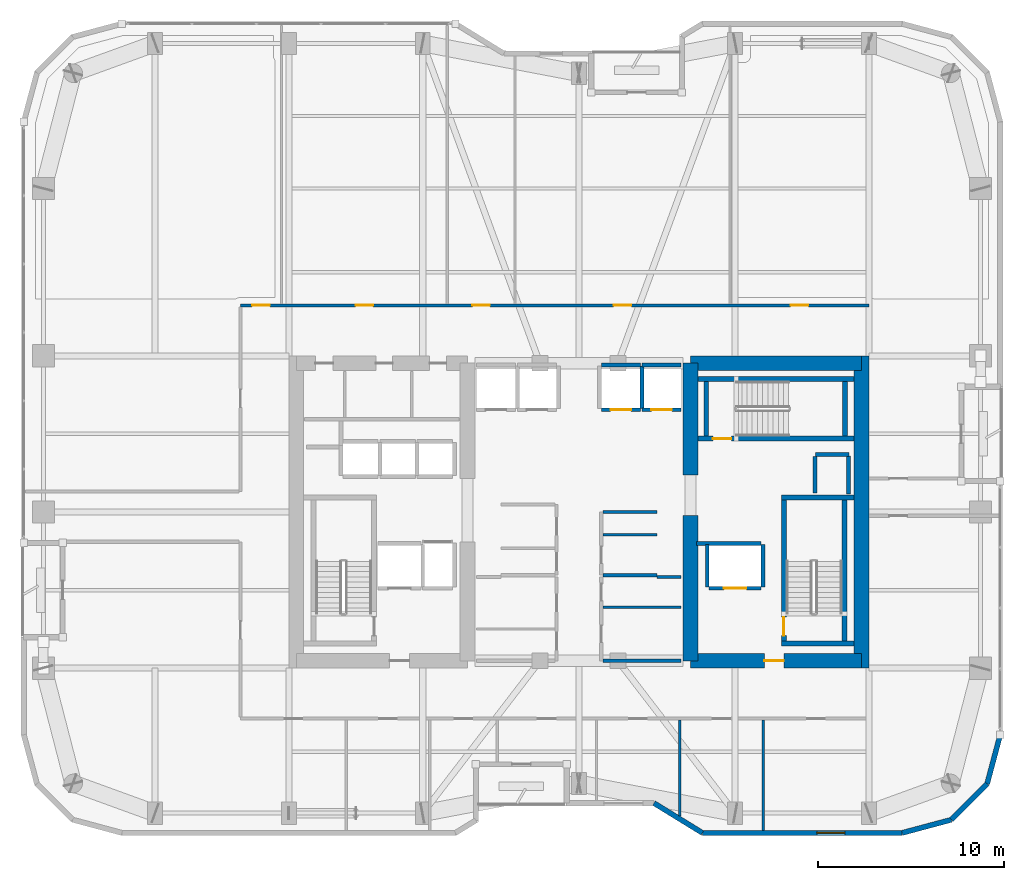
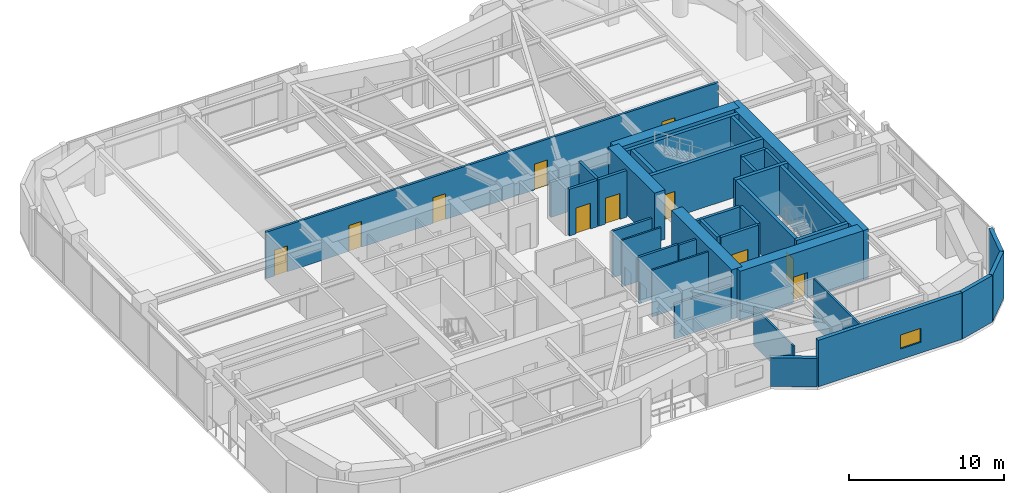
# One storey, part 26 of 30: 39 walls, 11 doors, 1 window, 12 openings.
"""IFC4 building model written with IfcOpenShell, lengths in metres."""

from ifc_helpers import new_model, si_unit, direction, frame, frame_2d, origin, place, context, subcontext, project, spatial, rectangle, extrude, material, layer, layer_set, type_object, element, fill, save


model = new_model("IFC4")

# Units and contexts
model_context = context("Model", 3, precision=1e-05, world=origin(), true_north=direction((0.0, 1.0)))
body_context = subcontext(model_context, "Body", "Model", "MODEL_VIEW")
ifc_project = project(units=[si_unit("LENGTHUNIT", "METRE"), si_unit("AREAUNIT", "SQUARE_METRE"), si_unit("VOLUMEUNIT", "CUBIC_METRE"), si_unit("PLANEANGLEUNIT", "RADIAN"), si_unit("MASSUNIT", "GRAM", prefix="KILO")], contexts=[model_context])

# Site, building, storey
site_placement = place(None, origin())
site = spatial("IfcSite", under=ifc_project, at=site_placement, CompositionType="ELEMENT")
building_placement = place(site_placement, origin())
building = spatial("IfcBuilding", under=site, at=building_placement, Name="Kiyonajd Concourse Tower", CompositionType="ELEMENT")
storey_placement = place(building_placement, frame((0.0, 0.0, 166.199951171875)))
storey = spatial("IfcBuildingStorey", under=building, at=storey_placement, Name="L42", CompositionType="ELEMENT", Elevation=166.199951171875)

# Walls
ifc_material_1 = material(Name="Concrete C70/85", Category="concrete")
ifc_layer_1 = layer(ifc_material_1, 0.800048828125)
ifc_layer_set_1 = layer_set([ifc_layer_1], Name="Concrete C70/85")
wall_type_1 = type_object("IfcWallType", Name="WL-CORE-800", PredefinedType="SHEAR", material=ifc_layer_set_1)
wall_1_placement = place(storey_placement, frame((54.0, 28.0, 0.0), z_axis=(0.0, 0.0, 1.0), x_axis=(0.0, 1.0, 0.0)))
element("IfcWall", 1, at=wall_1_placement, inside=storey, type_object=wall_type_1, Name="L42 East Core Inner South Shear Wall", PredefinedType="SHEAR", context=body_context, shape_type="SweptSolid", body=[
    extrude(rectangle(XDim=7.800048828125, YDim=0.800048828125, at=frame_2d((3.89990234375, 0.0))), origin(), (0.0, 0.0, 1.0), 3.900146484375),
])
wall_2_placement = place(storey_placement, frame((54.0, 38.0, 0.0), z_axis=(0.0, 0.0, 1.0), x_axis=(0.0, 1.0, 0.0)))
element("IfcWall", 2, at=wall_2_placement, inside=storey, type_object=wall_type_1, Name="L42 East Core Inner North Shear Wall", PredefinedType="SHEAR", context=body_context, shape_type="SweptSolid", body=[
    extrude(rectangle(XDim=6.0, YDim=0.800048828125, at=frame_2d((3.0, 0.0))), origin(), (0.0, 0.0, 1.0), 3.900146484375),
])
wall_3_placement = place(storey_placement, frame((63.199951171875, 27.60009765625, 0.0), z_axis=(0.0, 0.0, 1.0), x_axis=(0.0, 1.0, 0.0)))
element("IfcWall", 3, at=wall_3_placement, inside=storey, type_object=wall_type_1, Name="L42 East Core Outer Shear Wall", PredefinedType="SHEAR", context=body_context, shape_type="SweptSolid", body=[
    extrude(rectangle(XDim=16.7998046875, YDim=0.800048828125, at=frame_2d((8.39990234375, 0.0))), origin(), (0.0, 0.0, 1.0), 3.900146484375),
])

# Wall, opening, door
wall_4_placement = place(storey_placement, frame((54.0, 28.0, 0.0), z_axis=(0.0, 0.0, 1.0), x_axis=(1.0, 0.0, 0.0)))
wall_4 = element("IfcWall", 4, at=wall_4_placement, inside=storey, type_object=wall_type_1, Name="L42 East Core South Shear Wall", PredefinedType="SHEAR", context=body_context, shape_type="SweptSolid", body=[
    extrude(rectangle(XDim=9.199951171875, YDim=0.800048828125, at=frame_2d((4.60009765625, 0.0))), origin(), (0.0, 0.0, 1.0), 3.900146484375),
])
opening_1_placement = place(wall_4_placement, frame((3.97509765625, 0.0, 0.0)))
opening_1 = element("IfcOpeningElement", 5, at=opening_1_placement, cuts=wall_4, Name="Opening DF5", PredefinedType="OPENING", context=body_context, shape_type="SweptSolid", body=[
    extrude(rectangle(XDim=1.050048828125, YDim=2.0400390625, at=frame_2d((0.52490234375, 1.02001953125))), frame((0.0, 0.409912109375, 0.0), z_axis=(0.0, -1.0, 0.0), x_axis=(1.0, 0.0, 0.0)), (0.0, 0.0, 1.0), 0.820068359375),
])
ifc_material_2 = material(Name="Brushed Stainless Steel Cab Assembly", Category="steel")
door_type_1 = type_object("IfcDoorType", Name="DR-FD45-1050", OperationType="NOTDEFINED", PredefinedType="DOOR", material=ifc_material_2)
door_1_placement = place(opening_1_placement, origin())
door_1 = element("IfcDoor", 6, at=door_1_placement, inside=storey, type_object=door_type_1, Name="L42 Firefighting Lift Lobby E Smoke Door", OperationType="SINGLE_SWING_RIGHT", OverallHeight=2.0400390625, OverallWidth=1.050048828125, PredefinedType="DOOR", context=body_context, shape_type="SweptSolid", body=[
    extrude(rectangle(XDim=1.050048828125, YDim=2.0400390625, at=frame_2d((0.52490234375, 1.02001953125))), frame((0.0, 0.02490234375, 0.0), z_axis=(0.0, -1.0, 0.0), x_axis=(1.0, 0.0, 0.0)), (0.0, 0.0, 1.0), 0.050048828125),
])
fill(opening_1, door_1)

# Walls
wall_5_placement = place(storey_placement, frame((54.0, 44.0, 0.0), z_axis=(0.0, 0.0, 1.0), x_axis=(1.0, 0.0, 0.0)))
element("IfcWall", 7, at=wall_5_placement, inside=storey, type_object=wall_type_1, Name="L42 East Core North Shear Wall", PredefinedType="SHEAR", context=body_context, shape_type="SweptSolid", body=[
    extrude(rectangle(XDim=9.199951171875, YDim=0.800048828125, at=frame_2d((4.60009765625, 0.0))), origin(), (0.0, 0.0, 1.0), 3.900146484375),
])
ifc_material_3 = material(Name="Precast concrete C50/60", Category="concrete")
ifc_layer_2 = layer(ifc_material_3, 0.280029296875)
ifc_layer_set_2 = layer_set([ifc_layer_2], Name="Precast concrete C50/60")
wall_type_2 = type_object("IfcWallType", Name="WL-EXT-280", PredefinedType="SOLIDWALL", material=ifc_layer_set_2)
wall_6_placement = place(storey_placement, frame((70.659912109375, 24.018310546875, 0.0), z_axis=(0.0, 0.0, 1.0), x_axis=(-0.258672222976, -0.9659651552, 0.0)))
element("IfcWall", 8, at=wall_6_placement, inside=storey, type_object=wall_type_2, Name="L42 Exterior Concrete Frame Wall 25", PredefinedType="SOLIDWALL", context=body_context, shape_type="SweptSolid", body=[
    extrude(rectangle(XDim=2.739013671875, YDim=0.280029296875, at=frame_2d((1.36962890625, 0.0))), origin(), (0.0, 0.0, 1.0), 3.679931640625),
])
wall_7_placement = place(storey_placement, frame((69.951416015625, 21.37255859375, 0.0), z_axis=(0.0, 0.0, 1.0), x_axis=(-0.707061915429, -0.707151644098, 0.0)))
element("IfcWall", 9, at=wall_7_placement, inside=storey, type_object=wall_type_2, Name="L42 Exterior Concrete Frame Wall 26", PredefinedType="SOLIDWALL", context=body_context, shape_type="SweptSolid", body=[
    extrude(rectangle(XDim=2.720947265625, YDim=0.280029296875, at=frame_2d((1.3603515625, 0.0))), origin(), (0.0, 0.0, 1.0), 3.679931640625),
])
wall_8_placement = place(storey_placement, frame((68.027587890625, 19.448486328125, 0.0), z_axis=(0.0, 0.0, 1.0), x_axis=(-0.965971118627, -0.258649952598, 0.0)))
element("IfcWall", 10, at=wall_8_placement, inside=storey, type_object=wall_type_2, Name="L42 Exterior Concrete Frame Wall 27", PredefinedType="SOLIDWALL", context=body_context, shape_type="SweptSolid", body=[
    extrude(rectangle(XDim=2.7392578125, YDim=0.280029296875, at=frame_2d((1.36962890625, 0.0))), origin(), (0.0, 0.0, 1.0), 3.679931640625),
])

# Wall, opening, window
wall_9_placement = place(storey_placement, frame((65.381591796875, 18.739990234375, 0.0), z_axis=(0.0, 0.0, 1.0), x_axis=(-1.0, 0.0, 0.0)))
wall_9 = element("IfcWall", 11, at=wall_9_placement, inside=storey, type_object=wall_type_2, Name="L42 Exterior Concrete Frame Wall 28", PredefinedType="SOLIDWALL", context=body_context, shape_type="SweptSolid", body=[
    extrude(rectangle(XDim=10.741943359375, YDim=0.280029296875, at=frame_2d((5.37109375, 0.0))), origin(), (0.0, 0.0, 1.0), 3.679931640625),
])
opening_2_placement = place(wall_9_placement, frame((3.0810546875, 0.0, 0.85009765625)))
opening_2 = element("IfcOpeningElement", 12, at=opening_2_placement, cuts=wall_9, Name="Opening WN2", PredefinedType="OPENING", context=body_context, shape_type="SweptSolid", body=[
    extrude(rectangle(XDim=1.5, YDim=1.10009765625, at=frame_2d((0.75, 0.550048828125))), frame((0.0, 0.14990234375, 0.0), z_axis=(0.0, -1.0, 0.0), x_axis=(1.0, 0.0, 0.0)), (0.0, 0.0, 1.0), 0.300048828125),
])
ifc_material_4 = material(Name="Double Low-E Insulated Glass", Category="glass")
window_type = type_object("IfcWindowType", Name="WN-VIS-1500x1100", PartitioningType="SINGLE_PANEL", PredefinedType="WINDOW", material=ifc_material_4)
window_placement = place(opening_2_placement, origin())
window = element("IfcWindow", 13, at=window_placement, inside=storey, type_object=window_type, Name="L42 Modular Facade Vision Window 28", OverallHeight=1.10009765625, OverallWidth=1.5, PartitioningType="SINGLE_PANEL", PredefinedType="WINDOW", context=body_context, shape_type="SweptSolid", body=[
    extrude(rectangle(XDim=1.5, YDim=1.10009765625, at=frame_2d((0.75, 0.550048828125))), frame((0.0, 0.030029296875, 0.0), z_axis=(0.0, -1.0, 0.0), x_axis=(1.0, 0.0, 0.0)), (0.0, 0.0, 1.0), 0.06005859375),
])
fill(opening_2, window)

# Walls
wall_10_placement = place(storey_placement, frame((54.6396484375, 18.739990234375, 0.0), z_axis=(0.0, 0.0, 1.0), x_axis=(-0.851652825334, 0.524106349037, 0.0)))
element("IfcWall", 14, at=wall_10_placement, inside=storey, type_object=wall_type_2, Name="L42 Exterior Concrete Frame Wall 29", PredefinedType="SOLIDWALL", context=body_context, shape_type="SweptSolid", body=[
    extrude(rectangle(XDim=3.052978515625, YDim=0.280029296875, at=frame_2d((1.5263671875, 0.0))), origin(), (0.0, 0.0, 1.0), 2.26513671875),
])
ifc_material_5 = material(Name="Gypsum Board on Cold-Formed Steel Stud", Category="steel")
ifc_layer_3 = layer(ifc_material_5, 0.125)
ifc_layer_set_3 = layer_set([ifc_layer_3], Name="Gypsum Board on Cold-Formed Steel Stud")
wall_type_3 = type_object("IfcWallType", Name="WL-PART-125", PredefinedType="PARTITIONING", material=ifc_layer_set_3)
wall_11_placement = place(storey_placement, frame((49.287109375, 34.77587890625, 0.0), z_axis=(0.0, 0.0, 1.0), x_axis=(1.0, 0.0, 0.0)))
element("IfcWall", 15, at=wall_11_placement, inside=storey, type_object=wall_type_3, Name="L42 Interior Partition Wall", PredefinedType="PARTITIONING", context=body_context, shape_type="SweptSolid", body=[
    extrude(rectangle(XDim=2.912841796875, YDim=0.125, at=frame_2d((1.45654296875, 0.0))), origin(), (0.0, 0.0, 1.0), 3.679931640625),
])
wall_12_placement = place(storey_placement, frame((49.287109375, 30.8798828125, 0.0), z_axis=(0.0, 0.0, 1.0), x_axis=(1.0, 0.0, 0.0)))
element("IfcWall", 16, at=wall_12_placement, inside=storey, type_object=wall_type_3, Name="L42 Interior Partition Wall", PredefinedType="PARTITIONING", context=body_context, shape_type="SweptSolid", body=[
    extrude(rectangle(XDim=4.212890625, YDim=0.125, at=frame_2d((2.1064453125, 0.0))), origin(), (0.0, 0.0, 1.0), 3.679931640625),
])
wall_13_placement = place(storey_placement, frame((53.429931640625, 19.653076171875, 0.0), z_axis=(0.0, 0.0, 1.0), x_axis=(0.0, 1.0, 0.0)))
element("IfcWall", 17, at=wall_13_placement, inside=storey, type_object=wall_type_3, Name="L42 Interior Partition Wall", PredefinedType="PARTITIONING", context=body_context, shape_type="SweptSolid", body=[
    extrude(rectangle(XDim=5.14990234375, YDim=0.125, at=frame_2d((2.574951171875, 0.0))), origin(), (0.0, 0.0, 1.0), 3.04296875),
])
wall_14_placement = place(storey_placement, frame((57.909912109375, 18.875, 0.0), z_axis=(0.0, 0.0, 1.0), x_axis=(0.0, 1.0, 0.0)))
element("IfcWall", 18, at=wall_14_placement, inside=storey, type_object=wall_type_3, Name="L42 Interior Partition Wall", PredefinedType="PARTITIONING", context=body_context, shape_type="SweptSolid", body=[
    extrude(rectangle(XDim=5.927978515625, YDim=0.125, at=frame_2d((2.9638671875, 0.0))), origin(), (0.0, 0.0, 1.0), 3.679931640625),
])
ifc_layer_4 = layer(ifc_material_5, 0.2099609375)
ifc_layer_set_4 = layer_set([ifc_layer_4], Name="Gypsum Board on Cold-Formed Steel Stud")
wall_type_4 = type_object("IfcWallType", Name="WL-SHAFT-210", PredefinedType="PARTITIONING", material=ifc_layer_set_4)
wall_15_placement = place(storey_placement, frame((60.719970703125, 39.10009765625, 0.0), z_axis=(0.0, 0.0, 1.0), x_axis=(1.0, 0.0, 0.0)))
element("IfcWall", 19, at=wall_15_placement, inside=storey, type_object=wall_type_4, Name="L42 Shaft Enclosure Wall", PredefinedType="PARTITIONING", context=body_context, shape_type="SweptSolid", body=[
    extrude(rectangle(XDim=1.800048828125, YDim=0.2099609375, at=frame_2d((0.89990234375, 0.0))), origin(), (0.0, 0.0, 1.0), 3.679931640625),
])
wall_16_placement = place(storey_placement, frame((60.699951171875, 37.02001953125, 0.0), z_axis=(0.0, 0.0, 1.0), x_axis=(0.0, 1.0, 0.0)))
element("IfcWall", 20, at=wall_16_placement, inside=storey, type_object=wall_type_4, Name="L42 Shaft Enclosure Wall", PredefinedType="PARTITIONING", context=body_context, shape_type="SweptSolid", body=[
    extrude(rectangle(XDim=1.9599609375, YDim=0.2099609375, at=frame_2d((0.97998046875, 0.0))), origin(), (0.0, 0.0, 1.0), 3.679931640625),
])
wall_17_placement = place(storey_placement, frame((62.5, 36.97998046875, 0.0), z_axis=(0.0, 0.0, 1.0), x_axis=(0.0, 1.0, 0.0)))
element("IfcWall", 21, at=wall_17_placement, inside=storey, type_object=wall_type_4, Name="L42 Shaft Enclosure Wall", PredefinedType="PARTITIONING", context=body_context, shape_type="SweptSolid", body=[
    extrude(rectangle(XDim=2.0400390625, YDim=0.2099609375, at=frame_2d((1.02001953125, 0.0))), origin(), (0.0, 0.0, 1.0), 3.679931640625),
])

# Wall, opening, door
wall_18_placement = place(storey_placement, frame((55.0, 31.89990234375, 0.0), z_axis=(0.0, 0.0, 1.0), x_axis=(1.0, 0.0, 0.0)))
wall_18 = element("IfcWall", 22, at=wall_18_placement, inside=storey, type_object=wall_type_4, Name="L42 Shaft Enclosure Wall", PredefinedType="PARTITIONING", context=body_context, shape_type="SweptSolid", body=[
    extrude(rectangle(XDim=2.800048828125, YDim=0.2099609375, at=frame_2d((1.39990234375, 0.0))), origin(), (0.0, 0.0, 1.0), 3.679931640625),
])
opening_3_placement = place(wall_18_placement, frame((0.800048828125, 0.0, 0.0)))
opening_3 = element("IfcOpeningElement", 23, at=opening_3_placement, cuts=wall_18, Name="Opening LD2", PredefinedType="OPENING", context=body_context, shape_type="SweptSolid", body=[
    extrude(rectangle(XDim=1.199951171875, YDim=2.0400390625, at=frame_2d((0.60009765625, 1.02001953125))), frame((0.0, 0.114990234375, 0.0), z_axis=(0.0, -1.0, 0.0), x_axis=(1.0, 0.0, 0.0)), (0.0, 0.0, 1.0), 0.22998046875),
])
door_type_2 = type_object("IfcDoorType", Name="DR-LD-1200", OperationType="DOUBLE_DOOR_SLIDING", PredefinedType="DOOR", material=ifc_material_2)
door_2_placement = place(opening_3_placement, origin())
door_2 = element("IfcDoor", 24, at=door_2_placement, inside=storey, type_object=door_type_2, Name="L42 Lift FFL2 Sliding Landing Door", OperationType="DOUBLE_DOOR_SLIDING", OverallHeight=2.0400390625, OverallWidth=1.199951171875, PredefinedType="DOOR", context=body_context, shape_type="SweptSolid", body=[
    extrude(rectangle(XDim=1.199951171875, YDim=2.0400390625, at=frame_2d((0.60009765625, 1.02001953125))), frame((0.0, 0.02490234375, 0.0), z_axis=(0.0, -1.0, 0.0), x_axis=(1.0, 0.0, 0.0)), (0.0, 0.0, 1.0), 0.050048828125),
])
fill(opening_3, door_2)

# Walls
wall_19_placement = place(storey_placement, frame((54.320068359375, 34.300048828125, 0.0), z_axis=(0.0, 0.0, 1.0), x_axis=(1.0, 0.0, 0.0)))
element("IfcWall", 25, at=wall_19_placement, inside=storey, type_object=wall_type_4, Name="L42 Shaft Enclosure Wall", PredefinedType="PARTITIONING", context=body_context, shape_type="SweptSolid", body=[
    extrude(rectangle(XDim=3.47998046875, YDim=0.2099609375, at=frame_2d((1.739990234375, 0.0))), origin(), (0.0, 0.0, 1.0), 3.679931640625),
])
for number, where, z_axis, x_axis, name in (
    (26, (54.89990234375, 31.9599609375, 0.0), (0.0, 0.0, 1.0), (0.0, 1.0, 0.0), "L42 Shaft Enclosure Wall"),
    (27, (57.89990234375, 31.9599609375, 0.0), (0.0, 0.0, 1.0), (0.0, 1.0, 0.0), "L42 Shaft Enclosure Wall"),
):
    element("IfcWall", number, at=place(storey_placement, frame(where, z_axis=z_axis, x_axis=x_axis)), inside=storey, type_object=wall_type_4, Name=name, PredefinedType="PARTITIONING", context=body_context, shape_type="SweptSolid", body=[
        extrude(rectangle(XDim=2.280029296875, YDim=0.2099609375, at=frame_2d((1.14013671875, 0.0))), origin(), (0.0, 0.0, 1.0), 3.679931640625),
    ])

# Wall, opening, door
wall_20_placement = place(storey_placement, frame((49.199951171875, 41.5, 0.0), z_axis=(0.0, 0.0, 1.0), x_axis=(1.0, 0.0, 0.0)))
wall_20 = element("IfcWall", 28, at=wall_20_placement, inside=storey, type_object=wall_type_4, Name="L42 Shaft Enclosure Wall", PredefinedType="PARTITIONING", context=body_context, shape_type="SweptSolid", body=[
    extrude(rectangle(XDim=2.10009765625, YDim=0.2099609375, at=frame_2d((1.050048828125, 0.0))), origin(), (0.0, 0.0, 1.0), 3.679931640625),
])
opening_4_placement = place(wall_20_placement, frame((0.5, 0.0, 0.0)))
opening_4 = element("IfcOpeningElement", 29, at=opening_4_placement, cuts=wall_20, Name="Opening LD1", PredefinedType="OPENING", context=body_context, shape_type="SweptSolid", body=[
    extrude(rectangle(XDim=1.10009765625, YDim=2.0400390625, at=frame_2d((0.550048828125, 1.02001953125))), frame((0.0, 0.114990234375, 0.0), z_axis=(0.0, -1.0, 0.0), x_axis=(1.0, 0.0, 0.0)), (0.0, 0.0, 1.0), 0.22998046875),
])
door_type_3 = type_object("IfcDoorType", Name="DR-LD-1100", OperationType="DOUBLE_DOOR_SLIDING", PredefinedType="DOOR", material=ifc_material_2)
door_3_placement = place(opening_4_placement, origin())
door_3 = element("IfcDoor", 30, at=door_3_placement, inside=storey, type_object=door_type_3, Name="L42 Lift PL-M3 Sliding Landing Door", OperationType="DOUBLE_DOOR_SLIDING", OverallHeight=2.0400390625, OverallWidth=1.10009765625, PredefinedType="DOOR", context=body_context, shape_type="SweptSolid", body=[
    extrude(rectangle(XDim=1.10009765625, YDim=2.0400390625, at=frame_2d((0.550048828125, 1.02001953125))), frame((0.0, 0.02490234375, 0.0), z_axis=(0.0, -1.0, 0.0), x_axis=(1.0, 0.0, 0.0)), (0.0, 0.0, 1.0), 0.050048828125),
])
fill(opening_4, door_3)

# Walls
wall_21_placement = place(storey_placement, frame((49.199951171875, 43.89990234375, 0.0), z_axis=(0.0, 0.0, 1.0), x_axis=(1.0, 0.0, 0.0)))
element("IfcWall", 31, at=wall_21_placement, inside=storey, type_object=wall_type_4, Name="L42 Shaft Enclosure Wall", PredefinedType="PARTITIONING", context=body_context, shape_type="SweptSolid", body=[
    extrude(rectangle(XDim=2.10009765625, YDim=0.2099609375, at=frame_2d((1.050048828125, 0.0))), origin(), (0.0, 0.0, 1.0), 2.76513671875),
])
wall_22_placement = place(storey_placement, frame((51.39990234375, 41.56005859375, 0.0), z_axis=(0.0, 0.0, 1.0), x_axis=(0.0, 1.0, 0.0)))
element("IfcWall", 32, at=wall_22_placement, inside=storey, type_object=wall_type_4, Name="L42 Shaft Enclosure Wall", PredefinedType="PARTITIONING", context=body_context, shape_type="SweptSolid", body=[
    extrude(rectangle(XDim=2.280029296875, YDim=0.2099609375, at=frame_2d((1.14013671875, 0.0))), origin(), (0.0, 0.0, 1.0), 3.679931640625),
])

# Wall, opening, door
wall_23_placement = place(storey_placement, frame((51.39990234375, 41.5, 0.0), z_axis=(0.0, 0.0, 1.0), x_axis=(1.0, 0.0, 0.0)))
wall_23 = element("IfcWall", 33, at=wall_23_placement, inside=storey, type_object=wall_type_4, Name="L42 Shaft Enclosure Wall", PredefinedType="PARTITIONING", context=body_context, shape_type="SweptSolid", body=[
    extrude(rectangle(XDim=2.10009765625, YDim=0.2099609375, at=frame_2d((1.050048828125, 0.0))), origin(), (0.0, 0.0, 1.0), 3.679931640625),
])
opening_5_placement = place(wall_23_placement, frame((0.5, 0.0, 0.0)))
opening_5 = element("IfcOpeningElement", 34, at=opening_5_placement, cuts=wall_23, Name="Opening LD1", PredefinedType="OPENING", context=body_context, shape_type="SweptSolid", body=[
    extrude(rectangle(XDim=1.10009765625, YDim=2.0400390625, at=frame_2d((0.550048828125, 1.02001953125))), frame((0.0, 0.114990234375, 0.0), z_axis=(0.0, -1.0, 0.0), x_axis=(1.0, 0.0, 0.0)), (0.0, 0.0, 1.0), 0.22998046875),
])
door_4_placement = place(opening_5_placement, origin())
door_4 = element("IfcDoor", 35, at=door_4_placement, inside=storey, type_object=door_type_3, Name="L42 Lift PL-M4 Sliding Landing Door", OperationType="DOUBLE_DOOR_SLIDING", OverallHeight=2.0400390625, OverallWidth=1.10009765625, PredefinedType="DOOR", context=body_context, shape_type="SweptSolid", body=[
    extrude(rectangle(XDim=1.10009765625, YDim=2.0400390625, at=frame_2d((0.550048828125, 1.02001953125))), frame((0.0, 0.02490234375, 0.0), z_axis=(0.0, -1.0, 0.0), x_axis=(1.0, 0.0, 0.0)), (0.0, 0.0, 1.0), 0.050048828125),
])
fill(opening_5, door_4)

# Walls
wall_24_placement = place(storey_placement, frame((51.39990234375, 43.89990234375, 0.0), z_axis=(0.0, 0.0, 1.0), x_axis=(1.0, 0.0, 0.0)))
element("IfcWall", 36, at=wall_24_placement, inside=storey, type_object=wall_type_4, Name="L42 Shaft Enclosure Wall", PredefinedType="PARTITIONING", context=body_context, shape_type="SweptSolid", body=[
    extrude(rectangle(XDim=2.10009765625, YDim=0.2099609375, at=frame_2d((1.050048828125, 0.0))), origin(), (0.0, 0.0, 1.0), 2.76513671875),
])
ifc_layer_5 = layer(ifc_material_5, 0.169921875)
ifc_layer_set_5 = layer_set([ifc_layer_5], Name="Gypsum Board on Cold-Formed Steel Stud")
wall_type_5 = type_object("IfcWallType", Name="WL-SMK-170", PredefinedType="PARTITIONING", material=ifc_layer_set_5)
for number, where, z_axis, x_axis, name in (
    (37, (49.287109375, 32.60009765625, 0.0), (0.0, 0.0, 1.0), (1.0, 0.0, 0.0), "L42 Interior Partition Wall"),
    (38, (49.287109375, 36.0, 0.0), (0.0, 0.0, 1.0), (1.0, 0.0, 0.0), "L42 Interior Partition Wall"),
):
    element("IfcWall", number, at=place(storey_placement, frame(where, z_axis=z_axis, x_axis=x_axis)), inside=storey, type_object=wall_type_5, Name=name, PredefinedType="PARTITIONING", context=body_context, shape_type="SweptSolid", body=[
        extrude(rectangle(XDim=2.912841796875, YDim=0.169921875, at=frame_2d((1.45654296875, 0.0))), origin(), (0.0, 0.0, 1.0), 3.679931640625),
    ])
wall_25_placement = place(storey_placement, frame((49.287109375, 28.0, 0.0), z_axis=(0.0, 0.0, 1.0), x_axis=(1.0, 0.0, 0.0)))
element("IfcWall", 39, at=wall_25_placement, inside=storey, type_object=wall_type_5, Name="L42 Interior Partition Wall", PredefinedType="PARTITIONING", context=body_context, shape_type="SweptSolid", body=[
    extrude(rectangle(XDim=4.212890625, YDim=0.169921875, at=frame_2d((2.1064453125, 0.0))), origin(), (0.0, 0.0, 1.0), 2.76513671875),
])
wall_26_placement = place(storey_placement, frame((52.199951171875, 32.5, 0.0), z_axis=(0.0, 0.0, 1.0), x_axis=(1.0, 0.0, 0.0)))
element("IfcWall", 40, at=wall_26_placement, inside=storey, type_object=wall_type_5, Name="L42 Interior Partition Wall", PredefinedType="PARTITIONING", context=body_context, shape_type="SweptSolid", body=[
    extrude(rectangle(XDim=1.300048828125, YDim=0.169921875, at=frame_2d((0.64990234375, 0.0))), origin(), (0.0, 0.0, 1.0), 3.679931640625),
])

# Wall, openings, doors
wall_27_placement = place(storey_placement, frame((29.800048828125, 47.110107421875, 0.0), z_axis=(0.0, 0.0, 1.0), x_axis=(1.0, 0.0, 0.0)))
wall_27 = element("IfcWall", 41, at=wall_27_placement, inside=storey, type_object=wall_type_5, Name="L42 Interior Partition Wall", PredefinedType="PARTITIONING", context=body_context, shape_type="SweptSolid", body=[
    extrude(rectangle(XDim=33.800048828125, YDim=0.169921875, at=frame_2d((16.89990234375, 0.0))), origin(), (0.0, 0.0, 1.0), 3.679931640625),
])
opening_6_placement = place(wall_27_placement, frame((0.625, 0.0, 0.0)))
opening_6 = element("IfcOpeningElement", 42, at=opening_6_placement, cuts=wall_27, Name="Opening DI1", PredefinedType="OPENING", context=body_context, shape_type="SweptSolid", body=[
    extrude(rectangle(XDim=0.949951171875, YDim=2.0400390625, at=frame_2d((0.47509765625, 1.02001953125))), frame((0.0, 0.094970703125, 0.0), z_axis=(0.0, -1.0, 0.0), x_axis=(1.0, 0.0, 0.0)), (0.0, 0.0, 1.0), 0.18994140625),
])
opening_7_placement = place(wall_27_placement, frame((6.18505859375, 0.0, 0.0)))
opening_7 = element("IfcOpeningElement", 43, at=opening_7_placement, cuts=wall_27, Name="Opening DI1", PredefinedType="OPENING", context=body_context, shape_type="SweptSolid", body=[
    extrude(rectangle(XDim=0.949951171875, YDim=2.0400390625, at=frame_2d((0.47509765625, 1.02001953125))), frame((0.0, 0.094970703125, 0.0), z_axis=(0.0, -1.0, 0.0), x_axis=(1.0, 0.0, 0.0)), (0.0, 0.0, 1.0), 0.18994140625),
])
opening_8_placement = place(wall_27_placement, frame((12.465087890625, 0.0, 0.0)))
opening_8 = element("IfcOpeningElement", 44, at=opening_8_placement, cuts=wall_27, Name="Opening DI1", PredefinedType="OPENING", context=body_context, shape_type="SweptSolid", body=[
    extrude(rectangle(XDim=0.949951171875, YDim=2.0400390625, at=frame_2d((0.47509765625, 1.02001953125))), frame((0.0, 0.094970703125, 0.0), z_axis=(0.0, -1.0, 0.0), x_axis=(1.0, 0.0, 0.0)), (0.0, 0.0, 1.0), 0.18994140625),
])
opening_9_placement = place(wall_27_placement, frame((20.06494140625, 0.0, 0.0)))
opening_9 = element("IfcOpeningElement", 45, at=opening_9_placement, cuts=wall_27, Name="Opening DI1", PredefinedType="OPENING", context=body_context, shape_type="SweptSolid", body=[
    extrude(rectangle(XDim=0.949951171875, YDim=2.0400390625, at=frame_2d((0.47509765625, 1.02001953125))), frame((0.0, 0.094970703125, 0.0), z_axis=(0.0, -1.0, 0.0), x_axis=(1.0, 0.0, 0.0)), (0.0, 0.0, 1.0), 0.18994140625),
])
opening_10_placement = place(wall_27_placement, frame((29.5849609375, 0.0, 0.0)))
opening_10 = element("IfcOpeningElement", 46, at=opening_10_placement, cuts=wall_27, Name="Opening DI1", PredefinedType="OPENING", context=body_context, shape_type="SweptSolid", body=[
    extrude(rectangle(XDim=0.949951171875, YDim=2.0400390625, at=frame_2d((0.47509765625, 1.02001953125))), frame((0.0, 0.094970703125, 0.0), z_axis=(0.0, -1.0, 0.0), x_axis=(1.0, 0.0, 0.0)), (0.0, 0.0, 1.0), 0.18994140625),
])
ifc_material_6 = material(Name="Natural Oak Acoustic Timber Veneer", Category="wood")
door_type_4 = type_object("IfcDoorType", Name="DR-INT-950", OperationType="NOTDEFINED", PredefinedType="DOOR", material=ifc_material_6)
door_5_placement = place(opening_6_placement, origin())
door_5 = element("IfcDoor", 47, at=door_5_placement, inside=storey, type_object=door_type_4, Name="L42 Interior Door", OperationType="SINGLE_SWING_RIGHT", OverallHeight=2.0400390625, OverallWidth=0.949951171875, PredefinedType="DOOR", context=body_context, shape_type="SweptSolid", body=[
    extrude(rectangle(XDim=0.949951171875, YDim=2.0400390625, at=frame_2d((0.47509765625, 1.02001953125))), frame((0.0, 0.02490234375, 0.0), z_axis=(0.0, -1.0, 0.0), x_axis=(1.0, 0.0, 0.0)), (0.0, 0.0, 1.0), 0.050048828125),
])
fill(opening_6, door_5)
door_6_placement = place(opening_7_placement, origin())
door_6 = element("IfcDoor", 48, at=door_6_placement, inside=storey, type_object=door_type_4, Name="L42 Interior Door", OperationType="SINGLE_SWING_LEFT", OverallHeight=2.0400390625, OverallWidth=0.949951171875, PredefinedType="DOOR", context=body_context, shape_type="SweptSolid", body=[
    extrude(rectangle(XDim=0.949951171875, YDim=2.0400390625, at=frame_2d((0.47509765625, 1.02001953125))), frame((0.0, 0.02490234375, 0.0), z_axis=(0.0, -1.0, 0.0), x_axis=(1.0, 0.0, 0.0)), (0.0, 0.0, 1.0), 0.050048828125),
])
fill(opening_7, door_6)
door_7_placement = place(opening_8_placement, origin())
door_7 = element("IfcDoor", 49, at=door_7_placement, inside=storey, type_object=door_type_4, Name="L42 Interior Door", OperationType="SINGLE_SWING_RIGHT", OverallHeight=2.0400390625, OverallWidth=0.949951171875, PredefinedType="DOOR", context=body_context, shape_type="SweptSolid", body=[
    extrude(rectangle(XDim=0.949951171875, YDim=2.0400390625, at=frame_2d((0.47509765625, 1.02001953125))), frame((0.0, 0.02490234375, 0.0), z_axis=(0.0, -1.0, 0.0), x_axis=(1.0, 0.0, 0.0)), (0.0, 0.0, 1.0), 0.050048828125),
])
fill(opening_8, door_7)
door_8_placement = place(opening_9_placement, origin())
door_8 = element("IfcDoor", 50, at=door_8_placement, inside=storey, type_object=door_type_4, Name="L42 Interior Door", OperationType="SINGLE_SWING_LEFT", OverallHeight=2.0400390625, OverallWidth=0.949951171875, PredefinedType="DOOR", context=body_context, shape_type="SweptSolid", body=[
    extrude(rectangle(XDim=0.949951171875, YDim=2.0400390625, at=frame_2d((0.47509765625, 1.02001953125))), frame((0.0, 0.02490234375, 0.0), z_axis=(0.0, -1.0, 0.0), x_axis=(1.0, 0.0, 0.0)), (0.0, 0.0, 1.0), 0.050048828125),
])
fill(opening_9, door_8)
door_9_placement = place(opening_10_placement, origin())
door_9 = element("IfcDoor", 51, at=door_9_placement, inside=storey, type_object=door_type_4, Name="L42 Interior Door", OperationType="SINGLE_SWING_RIGHT", OverallHeight=2.0400390625, OverallWidth=0.949951171875, PredefinedType="DOOR", context=body_context, shape_type="SweptSolid", body=[
    extrude(rectangle(XDim=0.949951171875, YDim=2.0400390625, at=frame_2d((0.47509765625, 1.02001953125))), frame((0.0, 0.02490234375, 0.0), z_axis=(0.0, -1.0, 0.0), x_axis=(1.0, 0.0, 0.0)), (0.0, 0.0, 1.0), 0.050048828125),
])
fill(opening_10, door_9)

# Walls
ifc_material_7 = material(Name="Concrete C50/60", Category="concrete")
ifc_layer_6 = layer(ifc_material_7, 0.260009765625)
ifc_layer_set_6 = layer_set([ifc_layer_6], Name="Concrete C50/60")
wall_type_6 = type_object("IfcWallType", Name="WL-STAIR-260", PredefinedType="SHEAR", material=ifc_layer_set_6)
for number, where, z_axis, x_axis, name in (
    (52, (58.889892578125, 28.919921875, 0.0), (0.0, 0.0, 1.0), (1.0, 0.0, 0.0), "L42 Stair ST2 Structural South Wall"),
    (53, (58.889892578125, 36.780029296875, 0.0), (0.0, 0.0, 1.0), (1.0, 0.0, 0.0), "L42 Stair ST2 Structural North Wall"),
):
    element("IfcWall", number, at=place(storey_placement, frame(where, z_axis=z_axis, x_axis=x_axis)), inside=storey, type_object=wall_type_6, Name=name, PredefinedType="SHEAR", context=body_context, shape_type="SweptSolid", body=[
        extrude(rectangle(XDim=3.91015625, YDim=0.260009765625, at=frame_2d((1.955078125, 0.0))), origin(), (0.0, 0.0, 1.0), 3.900146484375),
    ])

# Wall, opening, door
wall_28_placement = place(storey_placement, frame((59.02001953125, 29.050048828125, 0.0), z_axis=(0.0, 0.0, 1.0), x_axis=(0.0, 1.0, 0.0)))
wall_28 = element("IfcWall", 54, at=wall_28_placement, inside=storey, type_object=wall_type_6, Name="L42 Stair ST2 Structural West Wall", PredefinedType="SHEAR", context=body_context, shape_type="SweptSolid", body=[
    extrude(rectangle(XDim=7.599853515625, YDim=0.260009765625, at=frame_2d((3.7998046875, 0.0))), origin(), (0.0, 0.0, 1.0), 3.900146484375),
])
opening_11_placement = place(wall_28_placement, frame((0.300048828125, 0.0, 0.0)))
opening_11 = element("IfcOpeningElement", 55, at=opening_11_placement, cuts=wall_28, Name="Opening DF1", PredefinedType="OPENING", context=body_context, shape_type="SweptSolid", body=[
    extrude(rectangle(XDim=1.0, YDim=2.0400390625, at=frame_2d((0.5, 1.02001953125))), frame((0.0, 0.139892578125, 0.0), z_axis=(0.0, -1.0, 0.0), x_axis=(1.0, 0.0, 0.0)), (0.0, 0.0, 1.0), 0.280029296875),
])
door_type_5 = type_object("IfcDoorType", Name="DR-FD90-1000", OperationType="NOTDEFINED", PredefinedType="DOOR", material=ifc_material_2)
door_10_placement = place(opening_11_placement, origin())
door_10 = element("IfcDoor", 56, at=door_10_placement, inside=storey, type_object=door_type_5, Name="L42 Stair ST2 FSAE Door", OperationType="SINGLE_SWING_RIGHT", OverallHeight=2.0400390625, OverallWidth=1.0, PredefinedType="DOOR", context=body_context, shape_type="SweptSolid", body=[
    extrude(rectangle(XDim=1.0, YDim=2.0400390625, at=frame_2d((0.5, 1.02001953125))), frame((0.0, 0.02490234375, 0.0), z_axis=(0.0, -1.0, 0.0), x_axis=(1.0, 0.0, 0.0)), (0.0, 0.0, 1.0), 0.050048828125),
])
fill(opening_11, door_10)

# Wall
wall_29_placement = place(storey_placement, frame((62.280029296875, 29.050048828125, 0.0), z_axis=(0.0, 0.0, 1.0), x_axis=(0.0, 1.0, 0.0)))
element("IfcWall", 57, at=wall_29_placement, inside=storey, type_object=wall_type_6, Name="L42 Stair ST2 Structural East Wall", PredefinedType="SHEAR", context=body_context, shape_type="SweptSolid", body=[
    extrude(rectangle(XDim=7.599853515625, YDim=0.260009765625, at=frame_2d((3.7998046875, 0.0))), origin(), (0.0, 0.0, 1.0), 3.900146484375),
])

# Wall, opening, door
wall_30_placement = place(storey_placement, frame((54.39990234375, 39.949951171875, 0.0), z_axis=(0.0, 0.0, 1.0), x_axis=(1.0, 0.0, 0.0)))
wall_30 = element("IfcWall", 58, at=wall_30_placement, inside=storey, type_object=wall_type_6, Name="L42 Stair ST3 Structural South Wall", PredefinedType="SHEAR", context=body_context, shape_type="SweptSolid", body=[
    extrude(rectangle(XDim=8.400146484375, YDim=0.260009765625, at=frame_2d((4.2001953125, 0.0))), origin(), (0.0, 0.0, 1.0), 3.900146484375),
])
opening_12_placement = place(wall_30_placement, frame((0.800048828125, 0.0, 0.0)))
opening_12 = element("IfcOpeningElement", 59, at=opening_12_placement, cuts=wall_30, Name="Opening DF1", PredefinedType="OPENING", context=body_context, shape_type="SweptSolid", body=[
    extrude(rectangle(XDim=1.0, YDim=2.0400390625, at=frame_2d((0.5, 1.02001953125))), frame((0.0, 0.139892578125, 0.0), z_axis=(0.0, -1.0, 0.0), x_axis=(1.0, 0.0, 0.0)), (0.0, 0.0, 1.0), 0.280029296875),
])
door_11_placement = place(opening_12_placement, origin())
door_11 = element("IfcDoor", 60, at=door_11_placement, inside=storey, type_object=door_type_5, Name="L42 Stair ST3 Enclosure Door", OperationType="SINGLE_SWING_LEFT", OverallHeight=2.0400390625, OverallWidth=1.0, PredefinedType="DOOR", context=body_context, shape_type="SweptSolid", body=[
    extrude(rectangle(XDim=1.0, YDim=2.0400390625, at=frame_2d((0.5, 1.02001953125))), frame((0.0, 0.02490234375, 0.0), z_axis=(0.0, -1.0, 0.0), x_axis=(1.0, 0.0, 0.0)), (0.0, 0.0, 1.0), 0.050048828125),
])
fill(opening_12, door_11)

# Walls
wall_31_placement = place(storey_placement, frame((54.39990234375, 43.14990234375, 0.0), z_axis=(0.0, 0.0, 1.0), x_axis=(1.0, 0.0, 0.0)))
element("IfcWall", 61, at=wall_31_placement, inside=storey, type_object=wall_type_6, Name="L42 Stair ST3 Structural North Wall", PredefinedType="SHEAR", context=body_context, shape_type="SweptSolid", body=[
    extrude(rectangle(XDim=8.400146484375, YDim=0.260009765625, at=frame_2d((4.2001953125, 0.0))), origin(), (0.0, 0.0, 1.0), 3.900146484375),
])
for number, where, z_axis, x_axis, name in (
    (62, (54.85009765625, 40.080078125, 0.0), (0.0, 0.0, 1.0), (0.0, 1.0, 0.0), "L42 Stair ST3 Structural West Wall"),
    (63, (62.31005859375, 40.080078125, 0.0), (0.0, 0.0, 1.0), (0.0, 1.0, 0.0), "L42 Stair ST3 Structural East Wall"),
):
    element("IfcWall", number, at=place(storey_placement, frame(where, z_axis=z_axis, x_axis=x_axis)), inside=storey, type_object=wall_type_6, Name=name, PredefinedType="SHEAR", context=body_context, shape_type="SweptSolid", body=[
        extrude(rectangle(XDim=2.93994140625, YDim=0.260009765625, at=frame_2d((1.469970703125, 0.0))), origin(), (0.0, 0.0, 1.0), 3.900146484375),
    ])

save(model, "model.ifc")
